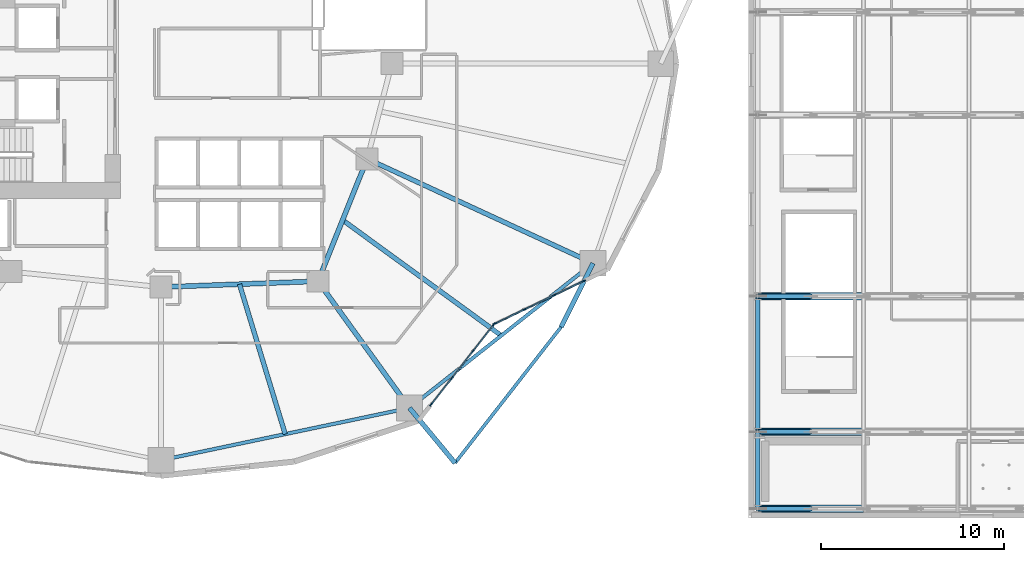
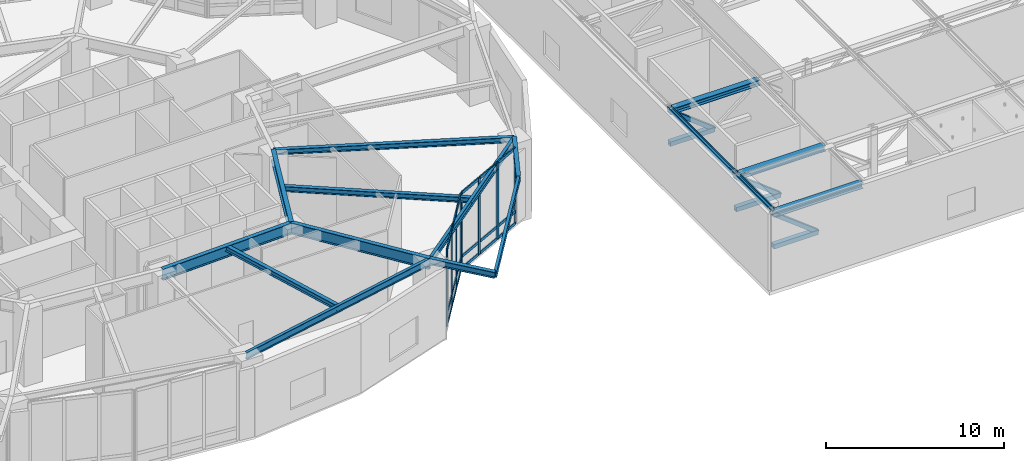
# One storey, part 7 of 29: 37 members, 11 beams, 2 elements without a shape of their own.
"""IFC4 building model written with IfcOpenShell, lengths in metres."""

import ifcopenshell
import ifcopenshell.guid

model = None  # the IFC model being written
_history = None  # IfcOwnerHistory: only IFC2X3 demands one
_inside = {}  # id of a spatial element -> (the spatial element, [elements in it])
_under = {}  # id of a project, library or spatial element -> (it, [spatial elements below it])
_declared = {}  # id of a project -> (the project, [libraries it declares])
_typed = {}  # id of a type object -> (the type object, [elements of that type])
_made_of = {}  # id of a material, layer set ... -> (it, [elements and type objects made of it])


def new_model(schema):
    """Start an empty IFC model of exactly this schema.

    Asked for "IFC4X3", IfcOpenShell would pick the latest addendum, in which some entities
    have other attributes; the version numbers below select the first issue.
    IFC2X3 requires an IfcOwnerHistory on every rooted entity: one is made here for all.
    """
    global model, _history
    if schema == "IFC4X3":
        model = ifcopenshell.file(schema_version=(4, 3, 0, 0))
    else:
        model = ifcopenshell.file(schema=schema)
    _inside.clear()
    _under.clear()
    _declared.clear()
    _typed.clear()
    _made_of.clear()
    _history = None
    if model.schema == "IFC2X3":
        org = make("IfcOrganization", Name="unknown")
        user = make(
            "IfcPersonAndOrganization",
            ThePerson=make("IfcPerson", FamilyName="unknown"),
            TheOrganization=org,
        )
        app = make(
            "IfcApplication",
            ApplicationDeveloper=org,
            Version="unknown",
            ApplicationFullName="unknown",
            ApplicationIdentifier="unknown",
        )
        _history = make(
            "IfcOwnerHistory",
            OwningUser=user,
            OwningApplication=app,
            ChangeAction="ADDED",
            CreationDate=0,
        )
    return model


def make(cls, **values):
    """One entity of the class cls with the attributes given. An attribute that is None is left unset."""
    return model.create_entity(
        cls, **{name: value for name, value in values.items() if value is not None}
    )


def rooted(cls, **values):
    """An entity with a GlobalId (a new one), such as an element, a storey or a relation."""
    return make(cls, GlobalId=ifcopenshell.guid.new(), OwnerHistory=_history, **values)


def si_unit(unit_type, name, prefix=None):
    """IfcSIUnit, for example si_unit("LENGTHUNIT", "METRE", prefix="MILLI")."""
    return make("IfcSIUnit", UnitType=unit_type, Prefix=prefix, Name=name)


def assignment(units):
    """IfcUnitAssignment: the units of a project."""
    return None if units is None else make("IfcUnitAssignment", Units=units)


def point(xyz):
    """IfcCartesianPoint."""
    return None if xyz is None else make("IfcCartesianPoint", Coordinates=xyz)


def direction(xyz):
    """IfcDirection."""
    return None if xyz is None else make("IfcDirection", DirectionRatios=xyz)


def frame(location, z_axis=None, x_axis=None):
    """IfcAxis2Placement3D, a coordinate frame: its origin and axes. An axis left out is left unset."""
    return make(
        "IfcAxis2Placement3D",
        Location=point(location),
        Axis=direction(z_axis),
        RefDirection=direction(x_axis),
    )


def frame_2d(location, x_axis=None):
    """IfcAxis2Placement2D, a coordinate frame in the plane: its origin and x axis."""
    return make(
        "IfcAxis2Placement2D", Location=point(location), RefDirection=direction(x_axis)
    )


def origin():
    """The frame at (0, 0, 0) with its axes left unset."""
    return frame((0.0, 0.0, 0.0))


def origin_2d():
    """The frame at (0, 0) in the plane with its x axis left unset."""
    return frame_2d((0.0, 0.0))


def place(relative_to, where):
    """IfcLocalPlacement: puts the frame where relative to a parent placement (None: the world)."""
    return make(
        "IfcLocalPlacement", PlacementRelTo=relative_to, RelativePlacement=where
    )


def context(
    kind, dimensions, precision=None, world=None, true_north=None, identifier=None
):
    """IfcGeometricRepresentationContext, for example the 3D "Model" context."""
    return make(
        "IfcGeometricRepresentationContext",
        ContextIdentifier=identifier,
        ContextType=kind,
        CoordinateSpaceDimension=dimensions,
        Precision=precision,
        WorldCoordinateSystem=world,
        TrueNorth=true_north,
    )


def subcontext(parent, identifier, kind, view, scale=None):
    """IfcGeometricRepresentationSubContext, for example "Body" below "Model"."""
    return make(
        "IfcGeometricRepresentationSubContext",
        ContextIdentifier=identifier,
        ContextType=kind,
        ParentContext=parent,
        TargetScale=scale,
        TargetView=view,
    )


def project(units=None, contexts=None):
    """IfcProject with its units and contexts."""
    return rooted(
        "IfcProject",
        Name="project",
        RepresentationContexts=contexts,
        UnitsInContext=assignment(units),
    )


def spatial(cls, under=None, at=None, **own):
    """A site, building, storey or space (cls), placed at a placement, below another one or the project."""
    s = rooted(cls, ObjectPlacement=at, **own)
    if under is not None:
        _under.setdefault(under.id(), (under, []))[1].append(s)
    return s


def profile(cls, at=None, kind="AREA", **sizes):
    """A parametric profile (cls). Its sizes go by their IFC names, for example OverallWidth=200.0."""
    return make(cls, ProfileType=kind, Position=at, **sizes)


def rectangle(**sizes):
    """IfcRectangleProfileDef."""
    return profile("IfcRectangleProfileDef", **sizes)


def hollow_rectangle(**sizes):
    """IfcRectangleHollowProfileDef."""
    return profile("IfcRectangleHollowProfileDef", **sizes)


def i_section(**sizes):
    """IfcIShapeProfileDef."""
    return profile("IfcIShapeProfileDef", **sizes)


def extrude(swept, where, along, depth):
    """IfcExtrudedAreaSolid: the profile swept, set in the frame where, extruded along a direction by depth."""
    return make(
        "IfcExtrudedAreaSolid",
        SweptArea=swept,
        Position=where,
        ExtrudedDirection=direction(along),
        Depth=depth,
    )


def shape(context_of_items, identifier, shape_type, items):
    """IfcShapeRepresentation: the items that make up one representation, for example the "Body"."""
    return make(
        "IfcShapeRepresentation",
        ContextOfItems=context_of_items,
        RepresentationIdentifier=identifier,
        RepresentationType=shape_type,
        Items=items,
    )


def material(Name=None, Category=None):
    """IfcMaterial."""
    return make("IfcMaterial", Name=Name, Category=Category)


def layer(
    of_material, thickness, ventilated=None, Name=None, Category=None, Priority=None
):
    """IfcMaterialLayer: one layer of a wall or slab, of a material (None: an air gap)."""
    return make(
        "IfcMaterialLayer",
        Material=of_material,
        LayerThickness=thickness,
        IsVentilated=ventilated,
        Name=Name,
        Category=Category,
        Priority=Priority,
    )


def layer_set(layers, Name=None):
    """IfcMaterialLayerSet."""
    return make("IfcMaterialLayerSet", MaterialLayers=layers, LayerSetName=Name)


def material_profile(
    of_material, cross_section, Name=None, Category=None, Priority=None
):
    """IfcMaterialProfile: a cross section and its material."""
    return make(
        "IfcMaterialProfile",
        Name=Name,
        Material=of_material,
        Profile=cross_section,
        Priority=Priority,
        Category=Category,
    )


def profile_set(profiles, Name=None, composite=None):
    """IfcMaterialProfileSet."""
    return make(
        "IfcMaterialProfileSet",
        Name=Name,
        MaterialProfiles=profiles,
        CompositeProfile=composite,
    )


def made_of(thing, what):
    """Note that an element or type object is made of a material, layer set ...; save() writes the relation."""
    if what is not None:
        _made_of.setdefault(what.id(), (what, []))[1].append(thing)
    return thing


def type_object(cls, material=None, **own):
    """A type object (cls), such as IfcWallType, which elements share."""
    return made_of(rooted(cls, **own), material)


def element(
    cls,
    number,
    at=None,
    inside=None,
    cuts=None,
    type_object=None,
    material=None,
    context=None,
    identifier="Body",
    shape_type=None,
    held_by="IfcProductDefinitionShape",
    body=None,
    shapes=None,
    **own,
):
    """One element of the class cls, such as IfcWall. Its Tag is "e" and its number.

    at: its placement. inside: the storey or other place that contains it. cuts: it is an
    opening in that element (IfcRelVoidsElement). A single representation is given by context,
    identifier, shape_type and body (its items); several are given by shapes. held_by: the class
    of the entity that holds the representations. save() writes the other relations.
    """
    e = rooted(cls, Tag="e%d" % number, ObjectPlacement=at, **own)
    if body is not None:
        shapes = [shape(context, identifier, shape_type, body)]
    if shapes is not None:
        e.Representation = make(held_by, Representations=shapes)
    if inside is not None:
        _inside.setdefault(inside.id(), (inside, []))[1].append(e)
    if cuts is not None:
        rooted(
            "IfcRelVoidsElement", RelatingBuildingElement=cuts, RelatedOpeningElement=e
        )
    if type_object is not None:
        _typed.setdefault(type_object.id(), (type_object, []))[1].append(e)
    return made_of(e, material)


def aggregate(whole, parts):
    """IfcRelAggregates: a whole, such as a stair, and the parts it consists of."""
    return rooted("IfcRelAggregates", RelatingObject=whole, RelatedObjects=parts)


def save(model, path):
    """Write the relations noted so far, then the file.

    IfcRelAggregates (storeys below a building ...), IfcRelContainedInSpatialStructure (elements
    in a storey), IfcRelDefinesByType, IfcRelAssociatesMaterial and IfcRelDeclares: one each for
    every whole, place, type object, material and project.
    """
    for whole, parts in _under.values():
        aggregate(whole, parts)
    for where, things in _inside.values():
        rooted(
            "IfcRelContainedInSpatialStructure",
            RelatedElements=things,
            RelatingStructure=where,
        )
    for kind, things in _typed.values():
        rooted("IfcRelDefinesByType", RelatedObjects=things, RelatingType=kind)
    for what, things in _made_of.values():
        rooted("IfcRelAssociatesMaterial", RelatedObjects=things, RelatingMaterial=what)
    for by, libraries in _declared.values():
        rooted("IfcRelDeclares", RelatingContext=by, RelatedDefinitions=libraries)
    model.write(path)


model = new_model("IFC4")

# Units and contexts
model_context = context("Model", 3, precision=1e-05, world=origin(), true_north=direction((0.0, 1.0)))
body_context = subcontext(model_context, "Body", "Model", "MODEL_VIEW")
ifc_project = project(units=[si_unit("LENGTHUNIT", "METRE"), si_unit("AREAUNIT", "SQUARE_METRE"), si_unit("VOLUMEUNIT", "CUBIC_METRE"), si_unit("PLANEANGLEUNIT", "RADIAN"), si_unit("MASSUNIT", "GRAM", prefix="KILO")], contexts=[model_context])

# Site, building, storey
site_placement = place(None, origin())
site = spatial("IfcSite", under=ifc_project, at=site_placement, CompositionType="ELEMENT")
building_placement = place(site_placement, origin())
building = spatial("IfcBuilding", under=site, at=building_placement, Name="Kolvaren Gate Tower and Convention Centre", CompositionType="ELEMENT")
storey_placement = place(building_placement, frame((0.0, 0.0, 21.0)))
storey = spatial("IfcBuildingStorey", under=building, at=storey_placement, Name="L04", CompositionType="ELEMENT", Elevation=21.0)

# Curtain wall, members
ifc_material_1 = material(Name="Anodized Architectural Aluminium Alloy 6063-T6", Category="aluminium")
ifc_layer = layer(ifc_material_1, 0.179931640625)
ifc_layer_set = layer_set([ifc_layer], Name="Anodized Architectural Aluminium Alloy 6063-T6")
curtain_wall_type = type_object("IfcCurtainWallType", Name="CW-POD-GLZ", PredefinedType="NOTDEFINED", material=ifc_layer_set)
curtain_wall_1_placement = place(storey_placement, origin())
curtain_wall_1 = element("IfcCurtainWall", 1, at=curtain_wall_1_placement, inside=storey, type_object=curtain_wall_type, Name="Tower L04 Unitised Curtain Wall CW-POD-GLZ Bay 20", PredefinedType="NOTDEFINED")
ifc_material_profile_1 = material_profile(ifc_material_1, rectangle(XDim=0.074951171875, YDim=0.199951171875, at=origin_2d()), Name="CW-MEM-MUL-200")
ifc_profile_set_1 = profile_set([ifc_material_profile_1], Name="Anodized Architectural Aluminium Alloy 6063-T6")
member_type_1 = type_object("IfcMemberType", Name="CW-MEM-MUL-200", PredefinedType="MULLION", material=ifc_profile_set_1)
member_1_placement = place(storey_placement, frame((44.8740234375, 8.39111328125, 0.0), z_axis=(0.0, 0.0, 1.0), x_axis=(-0.787413004527, 0.616425794643, 0.0)))
member_1 = element("IfcMember", 2, at=member_1_placement, type_object=member_type_1, Name="CW-01 mullion 1", PredefinedType="MULLION", context=body_context, shape_type="SweptSolid", body=[
    extrude(rectangle(XDim=0.074951171875, YDim=0.199951171875, at=origin_2d()), origin(), (0.0, 0.0, 1.0), 5.219970703125),
])
member_2_placement = place(storey_placement, frame((46.005615234375, 9.8369140625, 0.0), z_axis=(0.0, 0.0, 1.0), x_axis=(-0.787413004527, 0.616425794643, 0.0)))
member_2 = element("IfcMember", 3, at=member_2_placement, type_object=member_type_1, Name="CW-01 mullion 2", PredefinedType="MULLION", context=body_context, shape_type="SweptSolid", body=[
    extrude(rectangle(XDim=0.074951171875, YDim=0.199951171875, at=origin_2d()), origin(), (0.0, 0.0, 1.0), 5.219970703125),
])
member_3_placement = place(storey_placement, frame((47.160400390625, 11.31201171875, 0.0), z_axis=(0.0, 0.0, 1.0), x_axis=(-0.787413004527, 0.616425794643, 0.0)))
member_3 = element("IfcMember", 4, at=member_3_placement, type_object=member_type_1, Name="CW-01 mullion 3", PredefinedType="MULLION", context=body_context, shape_type="SweptSolid", body=[
    extrude(rectangle(XDim=0.074951171875, YDim=0.199951171875, at=origin_2d()), origin(), (0.0, 0.0, 1.0), 5.219970703125),
])
member_4_placement = place(storey_placement, frame((48.292236328125, 12.757568359375, 0.0), z_axis=(0.0, 0.0, 1.0), x_axis=(-0.787413004527, 0.616425794643, 0.0)))
member_4 = element("IfcMember", 5, at=member_4_placement, type_object=member_type_1, Name="CW-01 mullion 4", PredefinedType="MULLION", context=body_context, shape_type="SweptSolid", body=[
    extrude(rectangle(XDim=0.074951171875, YDim=0.199951171875, at=origin_2d()), origin(), (0.0, 0.0, 1.0), 5.219970703125),
])

curtain_wall_2_placement = place(storey_placement, origin())
curtain_wall_2 = element("IfcCurtainWall", 6, at=curtain_wall_2_placement, inside=storey, type_object=curtain_wall_type, Name="Tower L04 Unitised Curtain Wall CW-POD-GLZ Bay 21", PredefinedType="NOTDEFINED")
member_5_placement = place(storey_placement, frame((48.34912109375, 12.803466796875, 0.0), z_axis=(0.0, 0.0, 1.0), x_axis=(-0.433062688542, 0.90136380435, 0.0)))
member_5 = element("IfcMember", 7, at=member_5_placement, type_object=member_type_1, Name="CW-01 mullion 1", PredefinedType="MULLION", context=body_context, shape_type="SweptSolid", body=[
    extrude(rectangle(XDim=0.074951171875, YDim=0.199951171875, at=origin_2d()), origin(), (0.0, 0.0, 1.0), 5.219970703125),
])
member_6_placement = place(storey_placement, frame((49.955810546875, 13.575439453125, 0.0), z_axis=(0.0, 0.0, 1.0), x_axis=(-0.433062688542, 0.90136380435, 0.0)))
member_6 = element("IfcMember", 8, at=member_6_placement, type_object=member_type_1, Name="CW-01 mullion 2", PredefinedType="MULLION", context=body_context, shape_type="SweptSolid", body=[
    extrude(rectangle(XDim=0.074951171875, YDim=0.199951171875, at=origin_2d()), origin(), (0.0, 0.0, 1.0), 5.219970703125),
])
member_7_placement = place(storey_placement, frame((51.59619140625, 14.363525390625, 0.0), z_axis=(0.0, 0.0, 1.0), x_axis=(-0.433062688542, 0.90136380435, 0.0)))
member_7 = element("IfcMember", 9, at=member_7_placement, type_object=member_type_1, Name="CW-01 mullion 3", PredefinedType="MULLION", context=body_context, shape_type="SweptSolid", body=[
    extrude(rectangle(XDim=0.074951171875, YDim=0.199951171875, at=origin_2d()), origin(), (0.0, 0.0, 1.0), 5.219970703125),
])
member_8_placement = place(storey_placement, frame((53.202880859375, 15.135498046875, 0.0), z_axis=(0.0, 0.0, 1.0), x_axis=(-0.433062688542, 0.90136380435, 0.0)))
member_8 = element("IfcMember", 10, at=member_8_placement, type_object=member_type_1, Name="CW-01 mullion 4", PredefinedType="MULLION", context=body_context, shape_type="SweptSolid", body=[
    extrude(rectangle(XDim=0.074951171875, YDim=0.199951171875, at=origin_2d()), origin(), (0.0, 0.0, 1.0), 5.219970703125),
])

# Member
ifc_material_profile_2 = material_profile(ifc_material_1, rectangle(XDim=0.074951171875, YDim=0.199951171875, at=origin_2d()), Name="CW-MEM-TRN-200")
ifc_profile_set_2 = profile_set([ifc_material_profile_2], Name="Anodized Architectural Aluminium Alloy 6063-T6")
member_type_2 = type_object("IfcMemberType", Name="CW-MEM-TRN-200", PredefinedType="USERDEFINED", material=ifc_profile_set_2)
member_9_placement = place(storey_placement, frame((44.89697265625, 8.420654296875, 0.03759765625), z_axis=(0.616375545802, 0.787452339216, 0.0), x_axis=(-0.787452339216, 0.616375545802, 0.0)))
member_9 = element("IfcMember", 11, at=member_9_placement, type_object=member_type_2, Name="CW-01 transom 1.1", ObjectType="TRANSOM", PredefinedType="USERDEFINED", context=body_context, shape_type="SweptSolid", body=[
    extrude(rectangle(XDim=0.074951171875, YDim=0.199951171875, at=origin_2d()), origin(), (0.0, 0.0, 1.0), 1.760986328125),
])

member_10_placement = place(storey_placement, frame((44.89697265625, 8.420654296875, 0.85009765625), z_axis=(0.616375545802, 0.787452339216, 0.0), x_axis=(-0.787452339216, 0.616375545802, 0.0)))
member_10 = element("IfcMember", 12, at=member_10_placement, type_object=member_type_2, Name="CW-01 transom 1.2", ObjectType="TRANSOM", PredefinedType="USERDEFINED", context=body_context, shape_type="SweptSolid", body=[
    extrude(rectangle(XDim=0.074951171875, YDim=0.199951171875, at=origin_2d()), origin(), (0.0, 0.0, 1.0), 1.760986328125),
])

member_11_placement = place(storey_placement, frame((44.89697265625, 8.420654296875, 5.1826171875), z_axis=(0.616375545802, 0.787452339216, 0.0), x_axis=(-0.787452339216, 0.616375545802, 0.0)))
member_11 = element("IfcMember", 13, at=member_11_placement, type_object=member_type_2, Name="CW-01 transom 1.3", ObjectType="TRANSOM", PredefinedType="USERDEFINED", context=body_context, shape_type="SweptSolid", body=[
    extrude(rectangle(XDim=0.074951171875, YDim=0.199951171875, at=origin_2d()), origin(), (0.0, 0.0, 1.0), 1.760986328125),
])

member_12_placement = place(storey_placement, frame((46.02880859375, 9.866455078125, 0.03759765625), z_axis=(0.616465649316, 0.787381802694, 0.0), x_axis=(-0.787381802694, 0.616465649316, 0.0)))
member_12 = element("IfcMember", 14, at=member_12_placement, type_object=member_type_2, Name="CW-01 transom 2.1", ObjectType="TRANSOM", PredefinedType="USERDEFINED", context=body_context, shape_type="SweptSolid", body=[
    extrude(rectangle(XDim=0.074951171875, YDim=0.199951171875, at=origin_2d()), origin(), (0.0, 0.0, 1.0), 1.79833984375),
])

member_13_placement = place(storey_placement, frame((46.02880859375, 9.866455078125, 0.85009765625), z_axis=(0.616465649316, 0.787381802694, 0.0), x_axis=(-0.787381802694, 0.616465649316, 0.0)))
member_13 = element("IfcMember", 15, at=member_13_placement, type_object=member_type_2, Name="CW-01 transom 2.2", ObjectType="TRANSOM", PredefinedType="USERDEFINED", context=body_context, shape_type="SweptSolid", body=[
    extrude(rectangle(XDim=0.074951171875, YDim=0.199951171875, at=origin_2d()), origin(), (0.0, 0.0, 1.0), 1.79833984375),
])

member_14_placement = place(storey_placement, frame((46.02880859375, 9.866455078125, 5.1826171875), z_axis=(0.616465649316, 0.787381802694, 0.0), x_axis=(-0.787381802694, 0.616465649316, 0.0)))
member_14 = element("IfcMember", 16, at=member_14_placement, type_object=member_type_2, Name="CW-01 transom 2.3", ObjectType="TRANSOM", PredefinedType="USERDEFINED", context=body_context, shape_type="SweptSolid", body=[
    extrude(rectangle(XDim=0.074951171875, YDim=0.199951171875, at=origin_2d()), origin(), (0.0, 0.0, 1.0), 1.79833984375),
])

member_15_placement = place(storey_placement, frame((47.18359375, 11.341552734375, 0.03759765625), z_axis=(0.616442840137, 0.787399660175, 0.0), x_axis=(-0.787399660175, 0.616442840137, 0.0)))
member_15 = element("IfcMember", 17, at=member_15_placement, type_object=member_type_2, Name="CW-01 transom 3.1", ObjectType="TRANSOM", PredefinedType="USERDEFINED", context=body_context, shape_type="SweptSolid", body=[
    extrude(rectangle(XDim=0.074951171875, YDim=0.199951171875, at=origin_2d()), origin(), (0.0, 0.0, 1.0), 1.7607421875),
])

member_16_placement = place(storey_placement, frame((47.18359375, 11.341552734375, 0.85009765625), z_axis=(0.616442840137, 0.787399660175, 0.0), x_axis=(-0.787399660175, 0.616442840137, 0.0)))
member_16 = element("IfcMember", 18, at=member_16_placement, type_object=member_type_2, Name="CW-01 transom 3.2", ObjectType="TRANSOM", PredefinedType="USERDEFINED", context=body_context, shape_type="SweptSolid", body=[
    extrude(rectangle(XDim=0.074951171875, YDim=0.199951171875, at=origin_2d()), origin(), (0.0, 0.0, 1.0), 1.7607421875),
])

member_17_placement = place(storey_placement, frame((47.18359375, 11.341552734375, 5.1826171875), z_axis=(0.616442840137, 0.787399660175, 0.0), x_axis=(-0.787399660175, 0.616442840137, 0.0)))
member_17 = element("IfcMember", 19, at=member_17_placement, type_object=member_type_2, Name="CW-01 transom 3.3", ObjectType="TRANSOM", PredefinedType="USERDEFINED", context=body_context, shape_type="SweptSolid", body=[
    extrude(rectangle(XDim=0.074951171875, YDim=0.199951171875, at=origin_2d()), origin(), (0.0, 0.0, 1.0), 1.7607421875),
])

aggregate(curtain_wall_1, [member_1, member_2, member_3, member_4, member_9, member_10, member_11, member_12, member_13, member_14, member_15, member_16, member_17])

member_18_placement = place(storey_placement, frame((48.3828125, 12.819580078125, 0.03759765625), z_axis=(0.9013511863, 0.433088950397, 0.0), x_axis=(-0.433088950397, 0.9013511863, 0.0)))
member_18 = element("IfcMember", 20, at=member_18_placement, type_object=member_type_2, Name="CW-01 transom 1.1", ObjectType="TRANSOM", PredefinedType="USERDEFINED", context=body_context, shape_type="SweptSolid", body=[
    extrude(rectangle(XDim=0.074951171875, YDim=0.199951171875, at=origin_2d()), origin(), (0.0, 0.0, 1.0), 1.70751953125),
])

member_19_placement = place(storey_placement, frame((48.3828125, 12.819580078125, 0.85009765625), z_axis=(0.9013511863, 0.433088950397, 0.0), x_axis=(-0.433088950397, 0.9013511863, 0.0)))
member_19 = element("IfcMember", 21, at=member_19_placement, type_object=member_type_2, Name="CW-01 transom 1.2", ObjectType="TRANSOM", PredefinedType="USERDEFINED", context=body_context, shape_type="SweptSolid", body=[
    extrude(rectangle(XDim=0.074951171875, YDim=0.199951171875, at=origin_2d()), origin(), (0.0, 0.0, 1.0), 1.70751953125),
])

member_20_placement = place(storey_placement, frame((48.3828125, 12.819580078125, 5.1826171875), z_axis=(0.9013511863, 0.433088950397, 0.0), x_axis=(-0.433088950397, 0.9013511863, 0.0)))
member_20 = element("IfcMember", 22, at=member_20_placement, type_object=member_type_2, Name="CW-01 transom 1.3", ObjectType="TRANSOM", PredefinedType="USERDEFINED", context=body_context, shape_type="SweptSolid", body=[
    extrude(rectangle(XDim=0.074951171875, YDim=0.199951171875, at=origin_2d()), origin(), (0.0, 0.0, 1.0), 1.70751953125),
])

member_21_placement = place(storey_placement, frame((49.989501953125, 13.591552734375, 0.03759765625), z_axis=(0.901339603895, 0.433113055046, 0.0), x_axis=(-0.433113055046, 0.901339603895, 0.0)))
member_21 = element("IfcMember", 23, at=member_21_placement, type_object=member_type_2, Name="CW-01 transom 2.1", ObjectType="TRANSOM", PredefinedType="USERDEFINED", context=body_context, shape_type="SweptSolid", body=[
    extrude(rectangle(XDim=0.074951171875, YDim=0.199951171875, at=origin_2d()), origin(), (0.0, 0.0, 1.0), 1.7451171875),
])

member_22_placement = place(storey_placement, frame((49.989501953125, 13.591552734375, 0.85009765625), z_axis=(0.901339603895, 0.433113055046, 0.0), x_axis=(-0.433113055046, 0.901339603895, 0.0)))
member_22 = element("IfcMember", 24, at=member_22_placement, type_object=member_type_2, Name="CW-01 transom 2.2", ObjectType="TRANSOM", PredefinedType="USERDEFINED", context=body_context, shape_type="SweptSolid", body=[
    extrude(rectangle(XDim=0.074951171875, YDim=0.199951171875, at=origin_2d()), origin(), (0.0, 0.0, 1.0), 1.7451171875),
])

member_23_placement = place(storey_placement, frame((49.989501953125, 13.591552734375, 5.1826171875), z_axis=(0.901339603895, 0.433113055046, 0.0), x_axis=(-0.433113055046, 0.901339603895, 0.0)))
member_23 = element("IfcMember", 25, at=member_23_placement, type_object=member_type_2, Name="CW-01 transom 2.3", ObjectType="TRANSOM", PredefinedType="USERDEFINED", context=body_context, shape_type="SweptSolid", body=[
    extrude(rectangle(XDim=0.074951171875, YDim=0.199951171875, at=origin_2d()), origin(), (0.0, 0.0, 1.0), 1.7451171875),
])

member_24_placement = place(storey_placement, frame((51.630126953125, 14.3798828125, 0.03759765625), z_axis=(0.901406997018, 0.432972777121, 0.0), x_axis=(-0.432972777121, 0.901406997018, 0.0)))
member_24 = element("IfcMember", 26, at=member_24_placement, type_object=member_type_2, Name="CW-01 transom 3.1", ObjectType="TRANSOM", PredefinedType="USERDEFINED", context=body_context, shape_type="SweptSolid", body=[
    extrude(rectangle(XDim=0.074951171875, YDim=0.199951171875, at=origin_2d()), origin(), (0.0, 0.0, 1.0), 1.70751953125),
])

member_25_placement = place(storey_placement, frame((51.630126953125, 14.3798828125, 0.85009765625), z_axis=(0.901406997018, 0.432972777121, 0.0), x_axis=(-0.432972777121, 0.901406997018, 0.0)))
member_25 = element("IfcMember", 27, at=member_25_placement, type_object=member_type_2, Name="CW-01 transom 3.2", ObjectType="TRANSOM", PredefinedType="USERDEFINED", context=body_context, shape_type="SweptSolid", body=[
    extrude(rectangle(XDim=0.074951171875, YDim=0.199951171875, at=origin_2d()), origin(), (0.0, 0.0, 1.0), 1.70751953125),
])

member_26_placement = place(storey_placement, frame((51.630126953125, 14.3798828125, 5.1826171875), z_axis=(0.901406997018, 0.432972777121, 0.0), x_axis=(-0.432972777121, 0.901406997018, 0.0)))
member_26 = element("IfcMember", 28, at=member_26_placement, type_object=member_type_2, Name="CW-01 transom 3.3", ObjectType="TRANSOM", PredefinedType="USERDEFINED", context=body_context, shape_type="SweptSolid", body=[
    extrude(rectangle(XDim=0.074951171875, YDim=0.199951171875, at=origin_2d()), origin(), (0.0, 0.0, 1.0), 1.70751953125),
])

aggregate(curtain_wall_2, [member_5, member_6, member_7, member_8, member_18, member_19, member_20, member_21, member_22, member_23, member_24, member_25, member_26])

# Beams
ifc_material_2 = material(Name="Structural steel ASTM A992 Grade 345 MPa", Category="steel")
ifc_material_profile_3 = material_profile(ifc_material_2, i_section(OverallWidth=0.260009765625, OverallDepth=0.419921875, WebThickness=0.013427734375, FlangeThickness=0.0224609375, at=origin_2d()), Name="W410X132")
ifc_profile_set_3 = profile_set([ifc_material_profile_3], Name="Structural steel ASTM A992 Grade 345 MPa")
beam_type_1 = type_object("IfcBeamType", Name="STR-BM-W410X132", PredefinedType="BEAM", material=ifc_profile_set_3)
beam_1_placement = place(storey_placement, frame((43.690185546875, 8.20361328125, 5.010498046875), z_axis=(0.637866192119, -0.770147207326, 0.0), x_axis=(0.770147207326, 0.637866192119, 0.0)))
element("IfcBeam", 29, at=beam_1_placement, inside=storey, type_object=beam_type_1, Name="Tower L05 Planted Balcony Outrigger Cantilever BC-4A", PredefinedType="BEAM", context=body_context, shape_type="SweptSolid", body=[
    extrude(i_section(OverallWidth=0.260009765625, OverallDepth=0.419921875, WebThickness=0.013427734375, FlangeThickness=0.0224609375, at=origin_2d()), origin(), (0.0, 0.0, 1.0), 3.89990234375),
])
beam_2_placement = place(storey_placement, frame((53.710205078125, 16.1064453125, 5.010498046875), z_axis=(-0.448264934313, -0.893900748778, 0.0), x_axis=(0.893900748778, -0.448264934313, 0.0)))
element("IfcBeam", 30, at=beam_2_placement, inside=storey, type_object=beam_type_1, Name="Tower L05 Planted Balcony Outrigger Cantilever BC-4B", PredefinedType="BEAM", context=body_context, shape_type="SweptSolid", body=[
    extrude(i_section(OverallWidth=0.260009765625, OverallDepth=0.419921875, WebThickness=0.013427734375, FlangeThickness=0.0224609375, at=origin_2d()), origin(), (0.0, 0.0, 1.0), 3.900146484375),
])
ifc_material_profile_4 = material_profile(ifc_material_2, i_section(OverallWidth=0.26806640625, OverallDepth=0.758056640625, WebThickness=0.016357421875, FlangeThickness=0.025390625, at=origin_2d()), Name="W760X220")
ifc_profile_set_4 = profile_set([ifc_material_profile_4], Name="Structural steel ASTM A992 Grade 345 MPa")
beam_type_2 = type_object("IfcBeamType", Name="STR-BM-W760X220", PredefinedType="BEAM", material=ifc_profile_set_4)
beam_3_placement = place(storey_placement, frame((30.125, 14.800048828125, 4.841064453125), z_axis=(0.999301712453, 0.037364254142, 0.0), x_axis=(-0.037364254142, 0.999301712453, 0.0)))
element("IfcBeam", 31, at=beam_3_placement, inside=storey, type_object=beam_type_2, Name="Tower L04 Primary Ring Girder G-08", PredefinedType="BEAM", context=body_context, shape_type="SweptSolid", body=[
    extrude(i_section(OverallWidth=0.26806640625, OverallDepth=0.758056640625, WebThickness=0.016357421875, FlangeThickness=0.025390625, at=origin_2d()), origin(), (0.0, 0.0, 1.0), 8.579345703125),
])
beam_4_placement = place(storey_placement, frame((38.6982421875, 15.12060546875, 4.841064453125), z_axis=(0.372811100169, 0.927907260232, 0.0), x_axis=(-0.927907260232, 0.372811100169, 0.0)))
element("IfcBeam", 32, at=beam_4_placement, inside=storey, type_object=beam_type_2, Name="Tower L04 Primary Ring Girder G-09", PredefinedType="BEAM", context=body_context, shape_type="SweptSolid", body=[
    extrude(i_section(OverallWidth=0.26806640625, OverallDepth=0.758056640625, WebThickness=0.016357421875, FlangeThickness=0.025390625, at=origin_2d()), origin(), (0.0, 0.0, 1.0), 7.198974609375),
])
beam_5_placement = place(storey_placement, frame((38.6982421875, 15.12060546875, 4.841064453125), z_axis=(0.585208374732, -0.810882949718, 0.0), x_axis=(0.810882949718, 0.585208374732, 0.0)))
element("IfcBeam", 33, at=beam_5_placement, inside=storey, type_object=beam_type_2, Name="Tower L04 Radial Floor Girder RB-11", PredefinedType="BEAM", context=body_context, shape_type="SweptSolid", body=[
    extrude(i_section(OverallWidth=0.26806640625, OverallDepth=0.758056640625, WebThickness=0.016357421875, FlangeThickness=0.025390625, at=origin_2d()), origin(), (0.0, 0.0, 1.0), 8.5302734375),
])

# Members
ifc_material_3 = material(Name="Structural steel ASTM A500 Grade C 345 MPa", Category="steel")
ifc_material_profile_5 = material_profile(ifc_material_3, hollow_rectangle(XDim=0.25390625, YDim=0.25390625, WallThickness=0.015869140625, at=origin_2d()), Name="HSS254X254X15.9")
ifc_profile_set_5 = profile_set([ifc_material_profile_5], Name="Structural steel ASTM A500 Grade C 345 MPa")
member_type_3 = type_object("IfcMemberType", Name="STR-BR-HSS254X254", PredefinedType="BRACE", material=ifc_profile_set_5)
for number, where, z_axis, x_axis, name in (
    (34, (62.699951171875, 2.699951171875, 4.919921875), (0.79235205207, 0.0, -0.610064115959), (0.0, 1.0, 0.0), "Convention Roof Truss TR-01 Web Diagonal 1A"),
    (35, (62.699951171875, 6.89990234375, 4.919921875), (0.79235205207, 0.0, -0.610064115959), (0.0, 1.0, 0.0), "Convention Roof Truss TR-02 Web Diagonal 1A"),
    (36, (62.699951171875, 14.300048828125, 4.919921875), (0.79235205207, 0.0, -0.610064115959), (0.0, 1.0, 0.0), "Convention Roof Truss TR-03 Web Diagonal 1A"),
):
    element("IfcMember", number, at=place(storey_placement, frame(where, z_axis=z_axis, x_axis=x_axis)), inside=storey, type_object=member_type_3, Name=name, PredefinedType="BRACE", context=body_context, shape_type="SweptSolid", body=[
        extrude(hollow_rectangle(XDim=0.25390625, YDim=0.25390625, WallThickness=0.015869140625, at=origin_2d()), origin(), (0.0, 0.0, 1.0), 3.638916015625),
    ])
ifc_material_profile_6 = material_profile(ifc_material_3, hollow_rectangle(XDim=0.304931640625, YDim=0.304931640625, WallThickness=0.015869140625, at=origin_2d()), Name="HSS305X305X15.9")
ifc_profile_set_6 = profile_set([ifc_material_profile_6], Name="Structural steel ASTM A500 Grade C 345 MPa")
member_type_4 = type_object("IfcMemberType", Name="STR-CH-HSS305X305", PredefinedType="CHORD", material=ifc_profile_set_6)
for number, where, z_axis, x_axis, name in (
    (37, (62.699951171875, 2.699951171875, 2.699951171875), (1.0, 0.0, 0.0), (0.0, 1.0, 0.0), "Convention Roof Truss TR-01 Bottom Chord 1A"),
    (38, (62.699951171875, 6.89990234375, 2.699951171875), (1.0, 0.0, 0.0), (0.0, 1.0, 0.0), "Convention Roof Truss TR-02 Bottom Chord 1A"),
    (39, (62.699951171875, 14.300048828125, 2.699951171875), (1.0, 0.0, 0.0), (0.0, 1.0, 0.0), "Convention Roof Truss TR-03 Bottom Chord 1A"),
):
    element("IfcMember", number, at=place(storey_placement, frame(where, z_axis=z_axis, x_axis=x_axis)), inside=storey, type_object=member_type_4, Name=name, PredefinedType="CHORD", context=body_context, shape_type="SweptSolid", body=[
        extrude(hollow_rectangle(XDim=0.304931640625, YDim=0.304931640625, WallThickness=0.015869140625, at=origin_2d()), origin(), (0.0, 0.0, 1.0), 2.88330078125),
    ])
ifc_material_profile_7 = material_profile(ifc_material_2, i_section(OverallWidth=0.39501953125, OverallDepth=0.3798828125, WebThickness=0.018798828125, FlangeThickness=0.0302734375, at=origin_2d()), Name="W360X237")
ifc_profile_set_7 = profile_set([ifc_material_profile_7], Name="Structural steel ASTM A992 Grade 345 MPa")
member_type_5 = type_object("IfcMemberType", Name="STR-CH-W360X237", PredefinedType="CHORD", material=ifc_profile_set_7)
for number, where, z_axis, x_axis, name in (
    (40, (62.699951171875, 2.699951171875, 4.919921875), (1.0, 0.0, 0.0), (0.0, 1.0, 0.0), "Convention Roof Truss TR-01 Top Chord 1"),
    (41, (62.699951171875, 6.89990234375, 4.919921875), (1.0, 0.0, 0.0), (0.0, 1.0, 0.0), "Convention Roof Truss TR-02 Top Chord 1"),
    (42, (62.699951171875, 14.300048828125, 4.919921875), (1.0, 0.0, 0.0), (0.0, 1.0, 0.0), "Convention Roof Truss TR-03 Top Chord 1"),
):
    element("IfcMember", number, at=place(storey_placement, frame(where, z_axis=z_axis, x_axis=x_axis)), inside=storey, type_object=member_type_5, Name=name, PredefinedType="CHORD", context=body_context, shape_type="SweptSolid", body=[
        extrude(i_section(OverallWidth=0.39501953125, OverallDepth=0.3798828125, WebThickness=0.018798828125, FlangeThickness=0.0302734375, at=origin_2d()), origin(), (0.0, 0.0, 1.0), 5.766845703125),
    ])

# Beams
ifc_material_profile_8 = material_profile(ifc_material_2, i_section(OverallWidth=0.2548828125, OverallDepth=0.35693359375, WebThickness=0.010498046875, FlangeThickness=0.018310546875, at=origin_2d()), Name="W360X101")
ifc_profile_set_8 = profile_set([ifc_material_profile_8], Name="Structural steel ASTM A992 Grade 345 MPa")
beam_type_3 = type_object("IfcBeamType", Name="STR-JS-W360X101", PredefinedType="JOIST", material=ifc_profile_set_8)
beam_6_placement = place(storey_placement, frame((41.382080078125, 21.800537109375, 5.04150390625), z_axis=(0.907842006347, -0.419312403241, 0.0), x_axis=(0.419312403241, 0.907842006347, 0.0)))
element("IfcBeam", 43, at=beam_6_placement, inside=storey, type_object=beam_type_3, Name="Tower L04 Radial Floor Girder RB-12", PredefinedType="JOIST", context=body_context, shape_type="SweptSolid", body=[
    extrude(i_section(OverallWidth=0.2548828125, OverallDepth=0.35693359375, WebThickness=0.010498046875, FlangeThickness=0.018310546875, at=origin_2d()), origin(), (0.0, 0.0, 1.0), 13.57958984375),
])
beam_7_placement = place(storey_placement, frame((34.41162109375, 14.960205078125, 5.04150390625), z_axis=(0.291750890749, -0.956494337541, 0.0), x_axis=(0.956494337541, 0.291750890749, 0.0)))
element("IfcBeam", 44, at=beam_7_placement, inside=storey, type_object=beam_type_3, Name="Tower L04 Secondary Composite Floor Joist J-10.1", PredefinedType="JOIST", context=body_context, shape_type="SweptSolid", body=[
    extrude(i_section(OverallWidth=0.2548828125, OverallDepth=0.35693359375, WebThickness=0.010498046875, FlangeThickness=0.018310546875, at=origin_2d()), origin(), (0.0, 0.0, 1.0), 8.5556640625),
])
beam_8_placement = place(storey_placement, frame((40.040283203125, 18.46044921875, 5.04150390625), z_axis=(0.808411716387, -0.588617445212, 0.0), x_axis=(0.588617445212, 0.808411716387, 0.0)))
element("IfcBeam", 45, at=beam_8_placement, inside=storey, type_object=beam_type_3, Name="Tower L04 Secondary Composite Floor Joist J-11.1", PredefinedType="JOIST", context=body_context, shape_type="SweptSolid", body=[
    extrude(i_section(OverallWidth=0.2548828125, OverallDepth=0.35693359375, WebThickness=0.010498046875, FlangeThickness=0.018310546875, at=origin_2d()), origin(), (0.0, 0.0, 1.0), 10.712158203125),
])

# Members
ifc_material_profile_9 = material_profile(ifc_material_2, i_section(OverallWidth=0.256103515625, OverallDepth=0.260009765625, WebThickness=0.0107421875, FlangeThickness=0.017333984375, at=origin_2d()), Name="W250X89")
ifc_profile_set_9 = profile_set([ifc_material_profile_9], Name="Structural steel ASTM A992 Grade 345 MPa")
member_type_6 = type_object("IfcMemberType", Name="STR-PR-W250X89", PredefinedType="PURLIN", material=ifc_profile_set_9)
member_27_placement = place(storey_placement, frame((62.699951171875, 2.699951171875, 5.1201171875), z_axis=(0.0, 1.0, 0.0), x_axis=(0.0, 0.0, 1.0)))
element("IfcMember", 46, at=member_27_placement, inside=storey, type_object=member_type_6, Name="Convention Roof Purlin PR-1.1", PredefinedType="PURLIN", context=body_context, shape_type="SweptSolid", body=[
    extrude(i_section(OverallWidth=0.256103515625, OverallDepth=0.260009765625, WebThickness=0.0107421875, FlangeThickness=0.017333984375, at=origin_2d()), origin(), (0.0, 0.0, 1.0), 4.199951171875),
])
member_28_placement = place(storey_placement, frame((62.699951171875, 6.89990234375, 5.1201171875), z_axis=(0.0, 1.0, 0.0), x_axis=(0.0, 0.0, 1.0)))
element("IfcMember", 47, at=member_28_placement, inside=storey, type_object=member_type_6, Name="Convention Roof Purlin PR-1.2", PredefinedType="PURLIN", context=body_context, shape_type="SweptSolid", body=[
    extrude(i_section(OverallWidth=0.256103515625, OverallDepth=0.260009765625, WebThickness=0.0107421875, FlangeThickness=0.017333984375, at=origin_2d()), origin(), (0.0, 0.0, 1.0), 7.400146484375),
])

# Beams
ifc_material_profile_10 = material_profile(ifc_material_2, i_section(OverallWidth=0.180908203125, OverallDepth=0.4169921875, WebThickness=0.010986328125, FlangeThickness=0.018310546875, at=origin_2d()), Name="W410X85")
ifc_profile_set_10 = profile_set([ifc_material_profile_10], Name="Structural steel ASTM A992 Grade 345 MPa")
beam_type_4 = type_object("IfcBeamType", Name="STR-SP-W410X85", PredefinedType="SPANDREL", material=ifc_profile_set_10)
beam_9_placement = place(storey_placement, frame((46.177734375, 5.2001953125, 5.011962890625), z_axis=(0.614809768984, 0.788675438924, 0.0), x_axis=(-0.788675438924, 0.614809768984, 0.0)))
element("IfcBeam", 48, at=beam_9_placement, inside=storey, type_object=beam_type_4, Name="Tower L05 Planted Balcony Header Tie Beam BT-4", PredefinedType="SPANDREL", context=body_context, shape_type="SweptSolid", body=[
    extrude(i_section(OverallWidth=0.180908203125, OverallDepth=0.4169921875, WebThickness=0.010986328125, FlangeThickness=0.018310546875, at=origin_2d()), origin(), (0.0, 0.0, 1.0), 9.407958984375),
])
ifc_material_profile_11 = material_profile(ifc_material_2, i_section(OverallWidth=0.194091796875, OverallDepth=0.468994140625, WebThickness=0.0126953125, FlangeThickness=0.0205078125, at=origin_2d()), Name="W460X106")
ifc_profile_set_11 = profile_set([ifc_material_profile_11], Name="Structural steel ASTM A992 Grade 345 MPa")
beam_type_5 = type_object("IfcBeamType", Name="STR-SP-W460X106", PredefinedType="SPANDREL", material=ifc_profile_set_11)
beam_10_placement = place(storey_placement, frame((30.125, 5.35009765625, 4.985595703125), z_axis=(0.978583407863, 0.205850707685, 0.0), x_axis=(-0.205850707685, 0.978583407863, 0.0)))
element("IfcBeam", 49, at=beam_10_placement, inside=storey, type_object=beam_type_5, Name="Tower L04 Perimeter Spandrel Beam SP-10", PredefinedType="SPANDREL", context=body_context, shape_type="SweptSolid", body=[
    extrude(i_section(OverallWidth=0.194091796875, OverallDepth=0.468994140625, WebThickness=0.0126953125, FlangeThickness=0.0205078125, at=origin_2d()), origin(), (0.0, 0.0, 1.0), 13.862060546875),
])
beam_11_placement = place(storey_placement, frame((43.690185546875, 8.20361328125, 4.985595703125), z_axis=(0.785176498861, 0.619272044933, 0.0), x_axis=(-0.619272044933, 0.785176498861, 0.0)))
element("IfcBeam", 50, at=beam_11_placement, inside=storey, type_object=beam_type_5, Name="Tower L04 Perimeter Spandrel Beam SP-11", PredefinedType="SPANDREL", context=body_context, shape_type="SweptSolid", body=[
    extrude(i_section(OverallWidth=0.194091796875, OverallDepth=0.468994140625, WebThickness=0.0126953125, FlangeThickness=0.0205078125, at=origin_2d()), origin(), (0.0, 0.0, 1.0), 12.761474609375),
])

save(model, "model.ifc")
